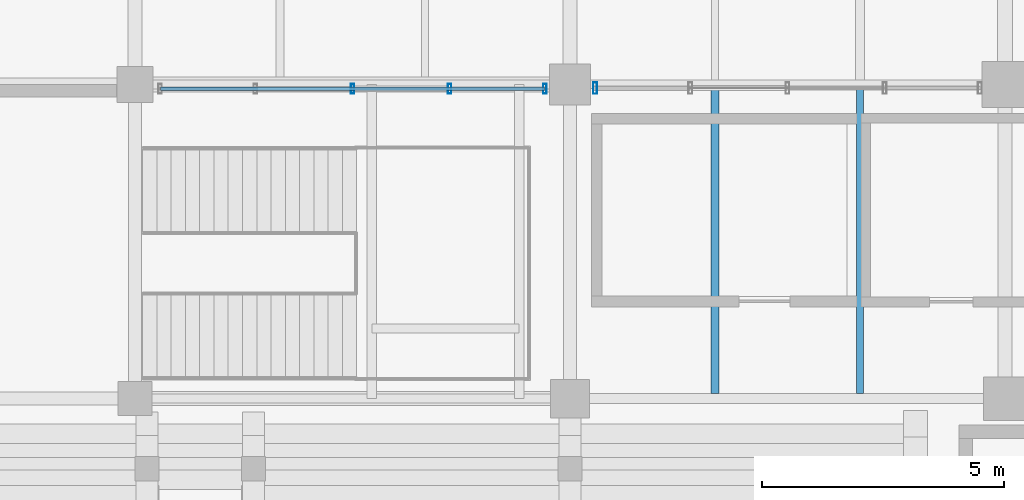
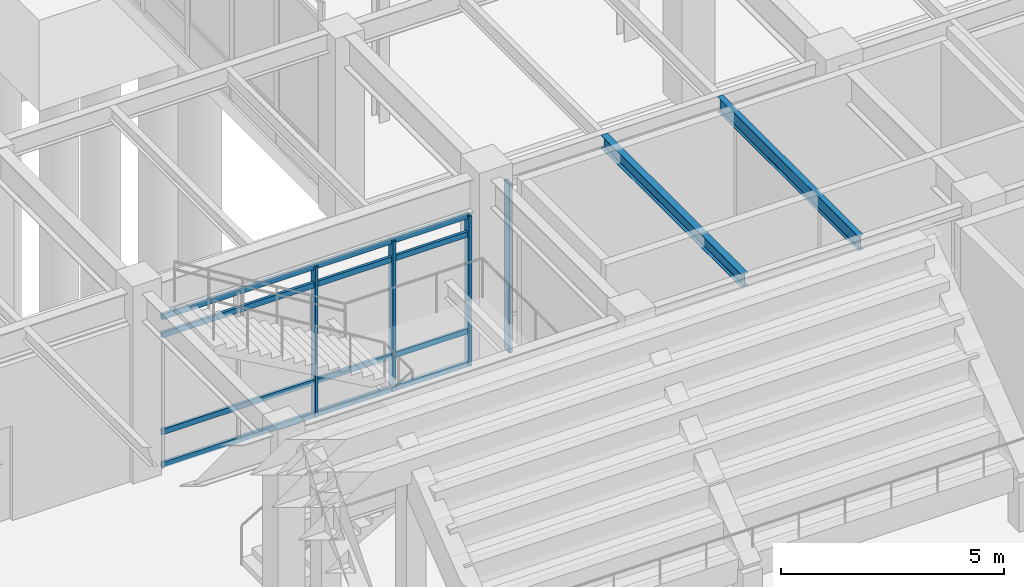
# One storey, part 83 of 203: 8 members, 2 beams, 2 elements without a shape of their own.
"""IFC4 building model written with IfcOpenShell, lengths in metres."""

from ifc_helpers import new_model, si_unit, direction, frame, origin, origin_2d, place, context, subcontext, project, spatial, hollow_rectangle, i_section, extrude, material, material_profile, profile_set, type_object, element, aggregate, save


model = new_model("IFC4")

# Units and contexts
model_context = context("Model", 3, precision=1e-05, world=origin(), true_north=direction((0.0, 1.0)))
body_context = subcontext(model_context, "Body", "Model", "MODEL_VIEW")
ifc_project = project(units=[si_unit("LENGTHUNIT", "METRE"), si_unit("AREAUNIT", "SQUARE_METRE"), si_unit("VOLUMEUNIT", "CUBIC_METRE"), si_unit("PLANEANGLEUNIT", "RADIAN"), si_unit("MASSUNIT", "GRAM", prefix="KILO"), si_unit("THERMODYNAMICTEMPERATUREUNIT", "KELVIN"), si_unit("POWERUNIT", "WATT")], contexts=[model_context])

# Site, building, storey
site_placement = place(None, origin())
site = spatial("IfcSite", under=ifc_project, at=site_placement, CompositionType="ELEMENT")
building_placement = place(site_placement, origin())
building = spatial("IfcBuilding", under=site, at=building_placement, Name="Tepalcoro Natatorium and Aquatics Centre", CompositionType="ELEMENT")
storey_placement = place(building_placement, origin())
storey = spatial("IfcBuildingStorey", under=building, at=storey_placement, Name="L00", CompositionType="ELEMENT", Elevation=0.0)

# Curtain wall, members
ifc_material_1 = material(Name="Bronze-Anodised Extruded Aluminium Alloy EN AW-6063 T6", Category="aluminium")
curtain_wall_type_1 = type_object("IfcCurtainWallType", Name="CW_V3_FOYER", PredefinedType="USERDEFINED", material=ifc_material_1)
curtain_wall_1_placement = place(storey_placement, origin())
curtain_wall_1 = element("IfcCurtainWall", 1, at=curtain_wall_1_placement, inside=storey, type_object=curtain_wall_type_1, Name="V1 L00 N Unitised Curtain Wall Bay 7", ObjectType="UNITISED STOREFRONT", PredefinedType="USERDEFINED")
ifc_material_profile_1 = material_profile(ifc_material_1, hollow_rectangle(XDim=0.070068359375, YDim=0.199951171875, WallThickness=0.0048828125, at=origin_2d()), Name="AL70X200X5")
ifc_profile_set_1 = profile_set([ifc_material_profile_1], Name="Bronze-Anodised Extruded Aluminium Alloy EN AW-6063 T6")
member_type_1 = type_object("IfcMemberType", Name="CW_MUL_70x200", PredefinedType="MULLION", material=ifc_profile_set_1)
member_1_placement = place(storey_placement, frame((102.5, 65.409912109375, 0.02001953125), z_axis=(0.0, 0.0, 1.0), x_axis=(1.0, 0.0, 0.0)))
member_1 = element("IfcMember", 2, at=member_1_placement, type_object=member_type_1, Name="CW_V3_FOYER Curtain Wall Mullion", PredefinedType="MULLION", context=body_context, shape_type="SweptSolid", body=[
    extrude(hollow_rectangle(XDim=0.070068359375, YDim=0.199951171875, WallThickness=0.0048828125, at=origin_2d()), origin(), (0.0, 0.0, 1.0), 4.111083984375),
])
member_2_placement = place(storey_placement, frame((104.510009765625, 65.409912109375, 0.02001953125), z_axis=(0.0, 0.0, 1.0), x_axis=(1.0, 0.0, 0.0)))
member_2 = element("IfcMember", 3, at=member_2_placement, type_object=member_type_1, Name="CW_V3_FOYER Curtain Wall Mullion", PredefinedType="MULLION", context=body_context, shape_type="SweptSolid", body=[
    extrude(hollow_rectangle(XDim=0.070068359375, YDim=0.199951171875, WallThickness=0.0048828125, at=origin_2d()), origin(), (0.0, 0.0, 1.0), 4.111083984375),
])
member_3_placement = place(storey_placement, frame((106.47998046875, 65.409912109375, 0.02001953125), z_axis=(0.0, 0.0, 1.0), x_axis=(1.0, 0.0, 0.0)))
member_3 = element("IfcMember", 4, at=member_3_placement, type_object=member_type_1, Name="CW_V3_FOYER Curtain Wall Mullion", PredefinedType="MULLION", context=body_context, shape_type="SweptSolid", body=[
    extrude(hollow_rectangle(XDim=0.070068359375, YDim=0.199951171875, WallThickness=0.0048828125, at=origin_2d()), origin(), (0.0, 0.0, 1.0), 4.111083984375),
])

# Curtain wall, member
curtain_wall_type_2 = type_object("IfcCurtainWallType", Name="CW_V4_VILLAGE", PredefinedType="USERDEFINED", material=ifc_material_1)
curtain_wall_2_placement = place(storey_placement, origin())
curtain_wall_2 = element("IfcCurtainWall", 5, at=curtain_wall_2_placement, inside=storey, type_object=curtain_wall_type_2, Name="V1 L00 N Unitised Curtain Wall Bay 8", ObjectType="UNITISED STOREFRONT", PredefinedType="USERDEFINED")
ifc_material_profile_2 = material_profile(ifc_material_1, hollow_rectangle(XDim=0.080078125, YDim=0.239990234375, WallThickness=0.0048828125, at=origin_2d()), Name="AL80X240X5")
ifc_profile_set_2 = profile_set([ifc_material_profile_2], Name="Bronze-Anodised Extruded Aluminium Alloy EN AW-6063 T6")
member_type_2 = type_object("IfcMemberType", Name="CW_MUL_80x240", PredefinedType="MULLION", material=ifc_profile_set_2)
member_4_placement = place(storey_placement, frame((107.52001953125, 65.423828125, 0.02001953125), z_axis=(0.0, 0.0, 1.0), x_axis=(1.0, 0.0, 0.0)))
member_4 = element("IfcMember", 6, at=member_4_placement, type_object=member_type_2, Name="CW_V4_VILLAGE Curtain Wall Mullion", PredefinedType="MULLION", context=body_context, shape_type="SweptSolid", body=[
    extrude(hollow_rectangle(XDim=0.080078125, YDim=0.239990234375, WallThickness=0.0048828125, at=origin_2d()), origin(), (0.0, 0.0, 1.0), 4.6240234375),
])
aggregate(curtain_wall_2, [member_4])

# Member
ifc_material_profile_3 = material_profile(ifc_material_1, hollow_rectangle(XDim=0.070068359375, YDim=0.14990234375, WallThickness=0.00390625, at=origin_2d()), Name="AL70X150X4")
ifc_profile_set_3 = profile_set([ifc_material_profile_3], Name="Bronze-Anodised Extruded Aluminium Alloy EN AW-6063 T6")
member_type_3 = type_object("IfcMemberType", Name="CW_TRN_70x150", PredefinedType="USERDEFINED", material=ifc_profile_set_3)
member_5_placement = place(storey_placement, frame((98.530029296875, 65.409912109375, 0.050048828125), z_axis=(1.0, 0.0, 0.0), x_axis=(0.0, 1.0, 0.0)))
member_5 = element("IfcMember", 7, at=member_5_placement, type_object=member_type_3, Name="CW_V3_FOYER Curtain Wall Transom", ObjectType="TRANSOM", PredefinedType="USERDEFINED", context=body_context, shape_type="SweptSolid", body=[
    extrude(hollow_rectangle(XDim=0.070068359375, YDim=0.14990234375, WallThickness=0.00390625, at=origin_2d()), origin(), (0.0, 0.0, 1.0), 7.93994140625),
])

member_6_placement = place(storey_placement, frame((98.530029296875, 65.409912109375, 0.949951171875), z_axis=(1.0, 0.0, 0.0), x_axis=(0.0, 1.0, 0.0)))
member_6 = element("IfcMember", 8, at=member_6_placement, type_object=member_type_3, Name="CW_V3_FOYER Curtain Wall Transom", ObjectType="TRANSOM", PredefinedType="USERDEFINED", context=body_context, shape_type="SweptSolid", body=[
    extrude(hollow_rectangle(XDim=0.070068359375, YDim=0.14990234375, WallThickness=0.00390625, at=origin_2d()), origin(), (0.0, 0.0, 1.0), 7.93994140625),
])

member_7_placement = place(storey_placement, frame((98.530029296875, 65.409912109375, 3.60107421875), z_axis=(1.0, 0.0, 0.0), x_axis=(0.0, 1.0, 0.0)))
member_7 = element("IfcMember", 9, at=member_7_placement, type_object=member_type_3, Name="CW_V3_FOYER Curtain Wall Transom", ObjectType="TRANSOM", PredefinedType="USERDEFINED", context=body_context, shape_type="SweptSolid", body=[
    extrude(hollow_rectangle(XDim=0.070068359375, YDim=0.14990234375, WallThickness=0.00390625, at=origin_2d()), origin(), (0.0, 0.0, 1.0), 7.93994140625),
])

member_8_placement = place(storey_placement, frame((98.530029296875, 65.409912109375, 4.10107421875), z_axis=(1.0, 0.0, 0.0), x_axis=(0.0, 1.0, 0.0)))
member_8 = element("IfcMember", 10, at=member_8_placement, type_object=member_type_3, Name="CW_V3_FOYER Curtain Wall Transom", ObjectType="TRANSOM", PredefinedType="USERDEFINED", context=body_context, shape_type="SweptSolid", body=[
    extrude(hollow_rectangle(XDim=0.070068359375, YDim=0.14990234375, WallThickness=0.00390625, at=origin_2d()), origin(), (0.0, 0.0, 1.0), 7.93994140625),
])

aggregate(curtain_wall_1, [member_1, member_2, member_3, member_5, member_6, member_7, member_8])

# Beams
ifc_material_2 = material(Name="Steel ASTM A992 Grade 50 (Fy 345 MPa)", Category="steel")
ifc_material_profile_4 = material_profile(ifc_material_2, i_section(OverallWidth=0.172119140625, OverallDepth=0.35791015625, WebThickness=0.008056640625, FlangeThickness=0.012939453125, FilletRadius=0.013916015625, at=origin_2d()), Name="W14X38")
ifc_profile_set_4 = profile_set([ifc_material_profile_4], Name="Steel ASTM A992 Grade 50 (Fy 345 MPa)")
beam_type_1 = type_object("IfcBeamType", Name="JS_W14x38", PredefinedType="JOIST", material=ifc_profile_set_4)
beam_1_placement = place(storey_placement, frame((110.0, 59.1015625, 4.906005859375), z_axis=(0.0, 1.0, 0.0), x_axis=(-1.0, 0.0, 0.0)))
element("IfcBeam", 11, at=beam_1_placement, inside=storey, type_object=beam_type_1, Name="V1 L00 Floor Joist", PredefinedType="JOIST", context=body_context, shape_type="SweptSolid", body=[
    extrude(i_section(OverallWidth=0.172119140625, OverallDepth=0.35791015625, WebThickness=0.008056640625, FlangeThickness=0.012939453125, FilletRadius=0.013916015625, at=origin_2d()), origin(), (0.0, 0.0, 1.0), 6.309326171875),
])
ifc_material_profile_5 = material_profile(ifc_material_2, i_section(OverallWidth=0.139892578125, OverallDepth=0.404052734375, WebThickness=0.007080078125, FlangeThickness=0.010986328125, FilletRadius=0.013916015625, at=origin_2d()), Name="W16X31")
ifc_profile_set_5 = profile_set([ifc_material_profile_5], Name="Steel ASTM A992 Grade 50 (Fy 345 MPa)")
beam_type_2 = type_object("IfcBeamType", Name="JS_W16x31", PredefinedType="JOIST", material=ifc_profile_set_5)
beam_2_placement = place(storey_placement, frame((113.0, 59.1015625, 4.883056640625), z_axis=(0.0, 1.0, 0.0), x_axis=(-1.0, 0.0, 0.0)))
element("IfcBeam", 12, at=beam_2_placement, inside=storey, type_object=beam_type_2, Name="V1 L00 Floor Joist", PredefinedType="JOIST", context=body_context, shape_type="SweptSolid", body=[
    extrude(i_section(OverallWidth=0.139892578125, OverallDepth=0.404052734375, WebThickness=0.007080078125, FlangeThickness=0.010986328125, FilletRadius=0.013916015625, at=origin_2d()), origin(), (0.0, 0.0, 1.0), 6.309326171875),
])

save(model, "model.ifc")
